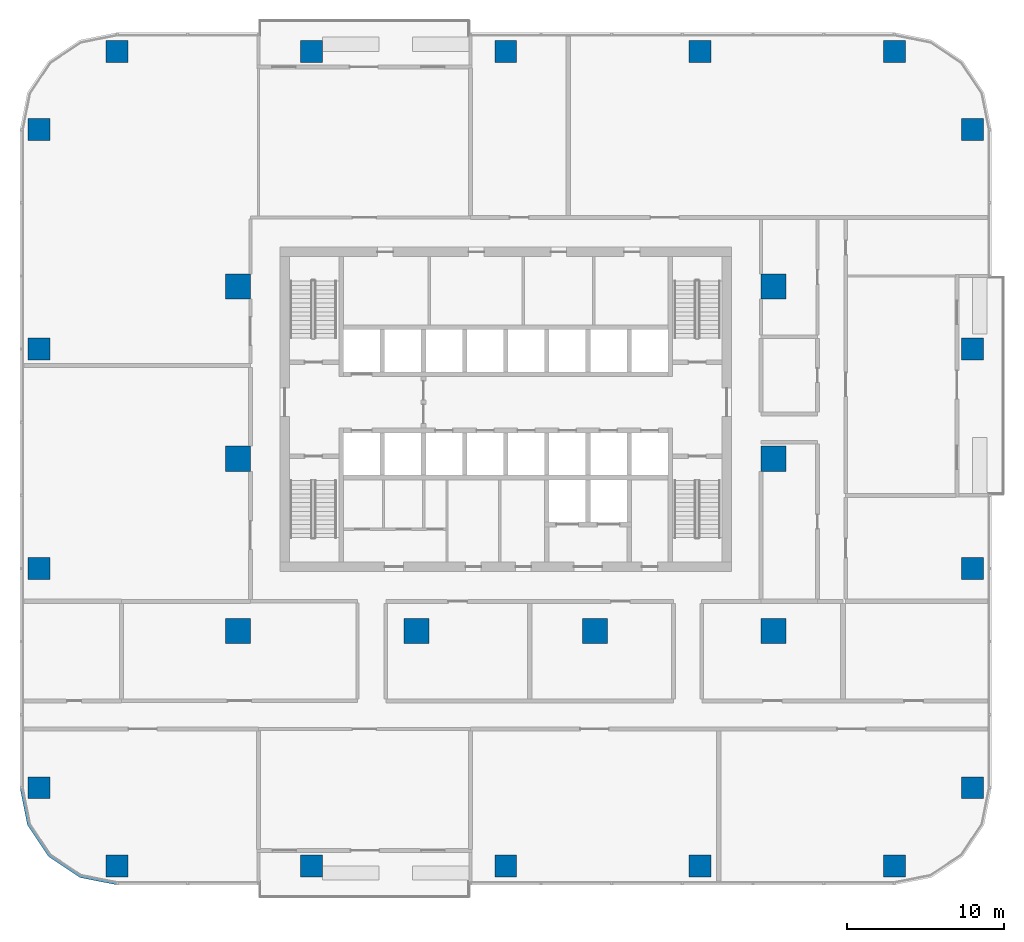
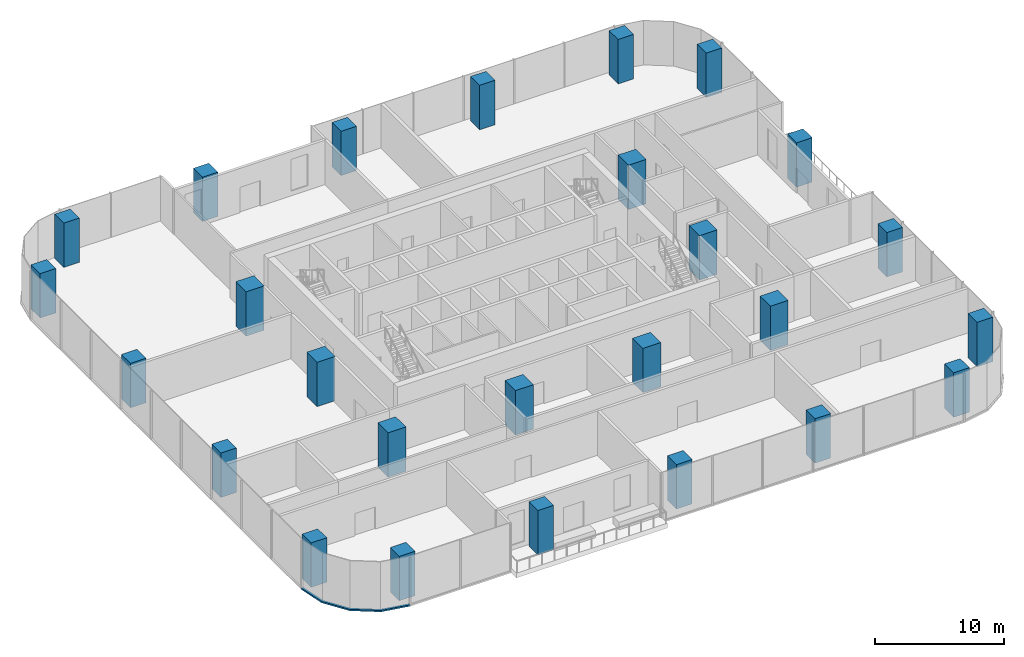
# One storey, part 1 of 15: 26 columns, 1 member, 1 element without a shape of its own.
"""IFC4 building model written with IfcOpenShell, lengths in metres."""

from ifc_helpers import new_model, si_unit, direction, frame, origin, origin_2d, place, context, subcontext, project, spatial, polyline, rectangle, outline, extrude, material, material_profile, profile_set, type_object, element, aggregate, save


model = new_model("IFC4")

# Units and contexts
model_context = context("Model", 3, precision=1e-05, world=origin(), true_north=direction((0.0, 1.0)))
body_context = subcontext(model_context, "Body", "Model", "MODEL_VIEW")
ifc_project = project(units=[si_unit("LENGTHUNIT", "METRE"), si_unit("AREAUNIT", "SQUARE_METRE"), si_unit("VOLUMEUNIT", "CUBIC_METRE"), si_unit("PLANEANGLEUNIT", "RADIAN"), si_unit("MASSUNIT", "GRAM", prefix="KILO")], contexts=[model_context])

# Site, building, storey
site_placement = place(None, origin())
site = spatial("IfcSite", under=ifc_project, at=site_placement, CompositionType="ELEMENT")
building_placement = place(site_placement, origin())
building = spatial("IfcBuilding", under=site, at=building_placement, Name="Mopane Tessera Tower", CompositionType="ELEMENT")
storey_placement = place(building_placement, frame((0.0, 0.0, 83.800048828125)))
storey = spatial("IfcBuildingStorey", under=building, at=storey_placement, Name="L16", CompositionType="ELEMENT", Elevation=83.800048828125)

# Columns
ifc_material_1 = material(Name="Concrete C60/75", Category="concrete")
ifc_material_profile_1 = material_profile(ifc_material_1, rectangle(XDim=1.60009765625, YDim=1.60009765625, at=origin_2d()))
ifc_profile_set_1 = profile_set([ifc_material_profile_1], Name="Concrete C60/75")
column_type_1 = type_object("IfcColumnType", Name="Interior column 1600 x 1600 C60/75", PredefinedType="COLUMN", material=ifc_profile_set_1)
for number, where, z_axis, x_axis, name in (
    (1, (-17.10009765625, -11.0, 0.0), (0.0, 0.0, 1.0), (1.0, 0.0, 0.0), "Interior column I1A L16"),
    (2, (-17.10009765625, 0.0, 0.0), (0.0, 0.0, 1.0), (1.0, 0.0, 0.0), "Interior column I1B L16"),
    (3, (-17.10009765625, 11.0, 0.0), (0.0, 0.0, 1.0), (1.0, 0.0, 0.0), "Interior column I1C L16"),
    (4, (-5.699951171875, -11.0, 0.0), (0.0, 0.0, 1.0), (1.0, 0.0, 0.0), "Interior column I2A L16"),
    (5, (5.699951171875, -11.0, 0.0), (0.0, 0.0, 1.0), (1.0, 0.0, 0.0), "Interior column I3A L16"),
    (6, (17.10009765625, -11.0, 0.0), (0.0, 0.0, 1.0), (1.0, 0.0, 0.0), "Interior column I4A L16"),
    (7, (17.10009765625, 0.0, 0.0), (0.0, 0.0, 1.0), (1.0, 0.0, 0.0), "Interior column I4B L16"),
    (8, (17.10009765625, 11.0, 0.0), (0.0, 0.0, 1.0), (1.0, 0.0, 0.0), "Interior column I4C L16"),
):
    element("IfcColumn", number, at=place(storey_placement, frame(where, z_axis=z_axis, x_axis=x_axis)), inside=storey, type_object=column_type_1, Name=name, PredefinedType="COLUMN", context=body_context, shape_type="SweptSolid", body=[
        extrude(rectangle(XDim=1.60009765625, YDim=1.60009765625, at=origin_2d()), origin(), (0.0, 0.0, 1.0), 4.199951171875),
    ])
ifc_material_2 = material(Name="Concrete C60/75", Category="concrete")
ifc_material_profile_2 = material_profile(ifc_material_2, rectangle(XDim=1.39990234375, YDim=1.39990234375, at=origin_2d()))
ifc_profile_set_2 = profile_set([ifc_material_profile_2], Name="Concrete C60/75")
column_type_2 = type_object("IfcColumnType", Name="Ring column 1400 x 1400 C60/75", PredefinedType="COLUMN", material=ifc_profile_set_2)
for number, where, z_axis, x_axis, name in (
    (9, (-24.800048828125, -26.0, 0.0), (0.0, 0.0, 1.0), (1.0, 0.0, 0.0), "Ring column S0 L16"),
    (10, (-12.39990234375, -26.0, 0.0), (0.0, 0.0, 1.0), (1.0, 0.0, 0.0), "Ring column S1 L16"),
    (11, (0.0, -26.0, 0.0), (0.0, 0.0, 1.0), (1.0, 0.0, 0.0), "Ring column S2 L16"),
    (12, (12.39990234375, -26.0, 0.0), (0.0, 0.0, 1.0), (1.0, 0.0, 0.0), "Ring column S3 L16"),
    (13, (24.800048828125, -26.0, 0.0), (0.0, 0.0, 1.0), (1.0, 0.0, 0.0), "Ring column S4 L16"),
    (14, (29.800048828125, -21.0, 0.0), (0.0, 0.0, 1.0), (1.0, 0.0, 0.0), "Ring column E0 L16"),
    (15, (29.800048828125, -7.0, 0.0), (0.0, 0.0, 1.0), (1.0, 0.0, 0.0), "Ring column E1 L16"),
    (16, (29.800048828125, 7.0, 0.0), (0.0, 0.0, 1.0), (1.0, 0.0, 0.0), "Ring column E2 L16"),
    (17, (29.800048828125, 21.0, 0.0), (0.0, 0.0, 1.0), (1.0, 0.0, 0.0), "Ring column E3 L16"),
    (18, (24.800048828125, 26.0, 0.0), (0.0, 0.0, 1.0), (1.0, 0.0, 0.0), "Ring column N0 L16"),
    (19, (12.39990234375, 26.0, 0.0), (0.0, 0.0, 1.0), (1.0, 0.0, 0.0), "Ring column N1 L16"),
    (20, (0.0, 26.0, 0.0), (0.0, 0.0, 1.0), (1.0, 0.0, 0.0), "Ring column N2 L16"),
    (21, (-12.39990234375, 26.0, 0.0), (0.0, 0.0, 1.0), (1.0, 0.0, 0.0), "Ring column N3 L16"),
    (22, (-24.800048828125, 26.0, 0.0), (0.0, 0.0, 1.0), (1.0, 0.0, 0.0), "Ring column N4 L16"),
    (23, (-29.800048828125, 21.0, 0.0), (0.0, 0.0, 1.0), (1.0, 0.0, 0.0), "Ring column W0 L16"),
    (24, (-29.800048828125, 7.0, 0.0), (0.0, 0.0, 1.0), (1.0, 0.0, 0.0), "Ring column W1 L16"),
    (25, (-29.800048828125, -7.0, 0.0), (0.0, 0.0, 1.0), (1.0, 0.0, 0.0), "Ring column W2 L16"),
    (26, (-29.800048828125, -21.0, 0.0), (0.0, 0.0, 1.0), (1.0, 0.0, 0.0), "Ring column W3 L16"),
):
    element("IfcColumn", number, at=place(storey_placement, frame(where, z_axis=z_axis, x_axis=x_axis)), inside=storey, type_object=column_type_2, Name=name, PredefinedType="COLUMN", context=body_context, shape_type="SweptSolid", body=[
        extrude(rectangle(XDim=1.39990234375, YDim=1.39990234375, at=origin_2d()), origin(), (0.0, 0.0, 1.0), 4.199951171875),
    ])

# Curtain wall, member
ifc_material_3 = material(Name="Aluminium frame", Category="aluminium")
curtain_wall_type = type_object("IfcCurtainWallType", Name="Lower tower unitised wall", PredefinedType="NOTDEFINED", material=ifc_material_3)
curtain_wall_placement = place(storey_placement, origin())
curtain_wall = element("IfcCurtainWall", 27, at=curtain_wall_placement, inside=storey, type_object=curtain_wall_type, Name="e:cw:L16:CW", PredefinedType="NOTDEFINED")
ifc_material_4 = material(Name="Aluminium frame", Category="aluminium")
ifc_material_profile_3 = material_profile(ifc_material_4, rectangle(XDim=0.199951171875, YDim=0.139892578125, at=origin_2d()))
ifc_profile_set_3 = profile_set([ifc_material_profile_3], Name="Aluminium frame")
member_type = type_object("IfcMemberType", Name="Aluminium transom 200 x 140", PredefinedType="USERDEFINED", material=ifc_profile_set_3)
member_placement = place(storey_placement, frame((0.0, 0.0, -0.449951171875)))
member = element("IfcMember", 28, at=member_placement, type_object=member_type, Name="e:cw:L16:CW:tr", ObjectType="TRANSOM", PredefinedType="USERDEFINED", context=body_context, shape_type="SweptSolid", body=[
    extrude(outline(polyline([(-30.800048828125, -21.0), (-30.34326171875, -23.296142578125), (-29.042724609375, -25.24267578125), (-27.09619140625, -26.543212890625), (-24.800048828125, -27.0), (-24.800048828125, -27.199951171875), (-27.172607421875, -26.72802734375), (-29.18408203125, -25.384033203125), (-30.528076171875, -23.37255859375), (-31.0, -21.0), (-30.800048828125, -21.0)])), origin(), (0.0, 0.0, 1.0), 0.139892578125),
])
aggregate(curtain_wall, [member])

save(model, "model.ifc")
